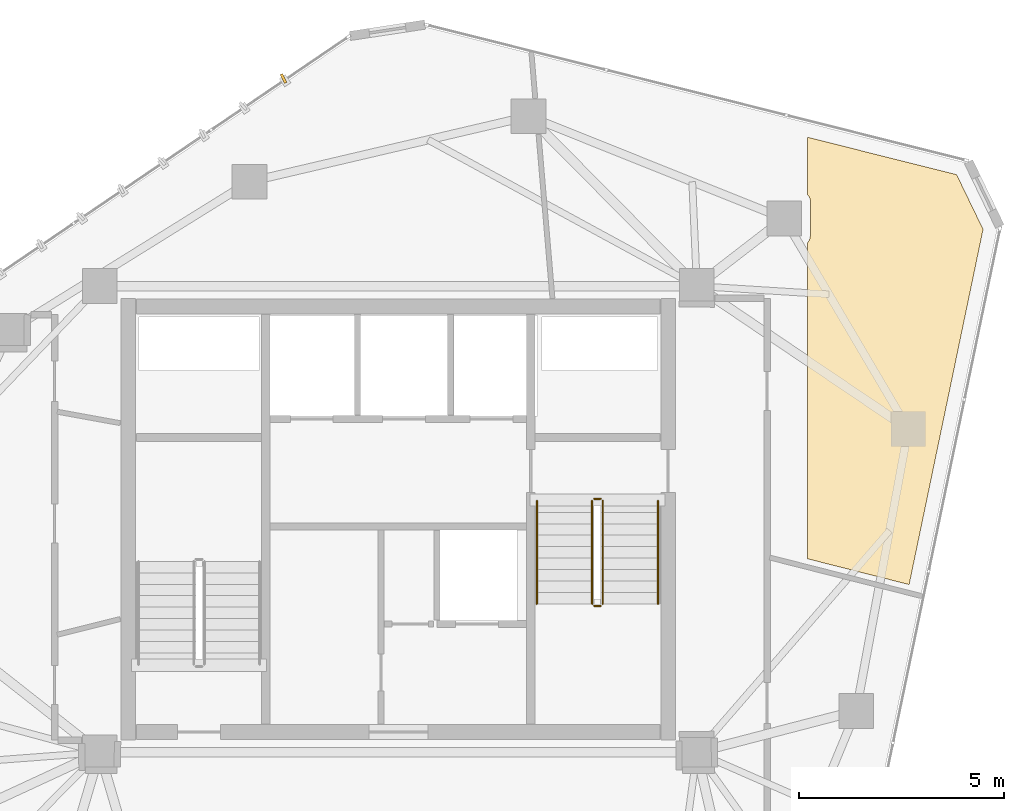
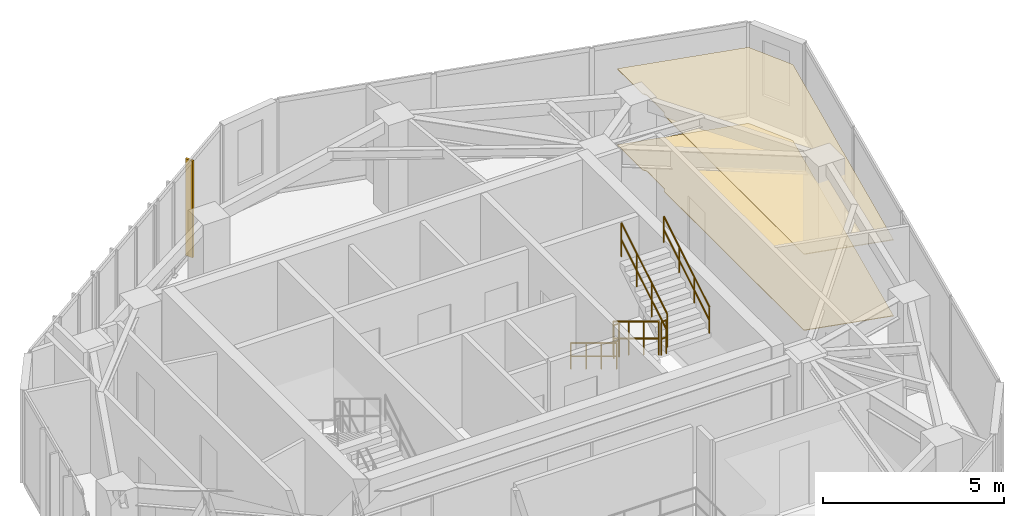
# One storey, part 20 of 20: 6 railings, 2 coverings, 1 shading device.
"""IFC4 building model written with IfcOpenShell, lengths in metres."""

import ifcopenshell
import ifcopenshell.guid

model = None  # the IFC model being written
_history = None  # IfcOwnerHistory: only IFC2X3 demands one
_inside = {}  # id of a spatial element -> (the spatial element, [elements in it])
_under = {}  # id of a project, library or spatial element -> (it, [spatial elements below it])
_declared = {}  # id of a project -> (the project, [libraries it declares])
_typed = {}  # id of a type object -> (the type object, [elements of that type])
_made_of = {}  # id of a material, layer set ... -> (it, [elements and type objects made of it])


def new_model(schema):
    """Start an empty IFC model of exactly this schema.

    Asked for "IFC4X3", IfcOpenShell would pick the latest addendum, in which some entities
    have other attributes; the version numbers below select the first issue.
    IFC2X3 requires an IfcOwnerHistory on every rooted entity: one is made here for all.
    """
    global model, _history
    if schema == "IFC4X3":
        model = ifcopenshell.file(schema_version=(4, 3, 0, 0))
    else:
        model = ifcopenshell.file(schema=schema)
    _inside.clear()
    _under.clear()
    _declared.clear()
    _typed.clear()
    _made_of.clear()
    _history = None
    if model.schema == "IFC2X3":
        org = make("IfcOrganization", Name="unknown")
        user = make(
            "IfcPersonAndOrganization",
            ThePerson=make("IfcPerson", FamilyName="unknown"),
            TheOrganization=org,
        )
        app = make(
            "IfcApplication",
            ApplicationDeveloper=org,
            Version="unknown",
            ApplicationFullName="unknown",
            ApplicationIdentifier="unknown",
        )
        _history = make(
            "IfcOwnerHistory",
            OwningUser=user,
            OwningApplication=app,
            ChangeAction="ADDED",
            CreationDate=0,
        )
    return model


def make(cls, **values):
    """One entity of the class cls with the attributes given. An attribute that is None is left unset."""
    return model.create_entity(
        cls, **{name: value for name, value in values.items() if value is not None}
    )


def rooted(cls, **values):
    """An entity with a GlobalId (a new one), such as an element, a storey or a relation."""
    return make(cls, GlobalId=ifcopenshell.guid.new(), OwnerHistory=_history, **values)


def si_unit(unit_type, name, prefix=None):
    """IfcSIUnit, for example si_unit("LENGTHUNIT", "METRE", prefix="MILLI")."""
    return make("IfcSIUnit", UnitType=unit_type, Prefix=prefix, Name=name)


def assignment(units):
    """IfcUnitAssignment: the units of a project."""
    return None if units is None else make("IfcUnitAssignment", Units=units)


def point(xyz):
    """IfcCartesianPoint."""
    return None if xyz is None else make("IfcCartesianPoint", Coordinates=xyz)


def direction(xyz):
    """IfcDirection."""
    return None if xyz is None else make("IfcDirection", DirectionRatios=xyz)


def frame(location, z_axis=None, x_axis=None):
    """IfcAxis2Placement3D, a coordinate frame: its origin and axes. An axis left out is left unset."""
    return make(
        "IfcAxis2Placement3D",
        Location=point(location),
        Axis=direction(z_axis),
        RefDirection=direction(x_axis),
    )


def frame_2d(location, x_axis=None):
    """IfcAxis2Placement2D, a coordinate frame in the plane: its origin and x axis."""
    return make(
        "IfcAxis2Placement2D", Location=point(location), RefDirection=direction(x_axis)
    )


def origin():
    """The frame at (0, 0, 0) with its axes left unset."""
    return frame((0.0, 0.0, 0.0))


def origin_2d():
    """The frame at (0, 0) in the plane with its x axis left unset."""
    return frame_2d((0.0, 0.0))


def place(relative_to, where):
    """IfcLocalPlacement: puts the frame where relative to a parent placement (None: the world)."""
    return make(
        "IfcLocalPlacement", PlacementRelTo=relative_to, RelativePlacement=where
    )


def context(
    kind, dimensions, precision=None, world=None, true_north=None, identifier=None
):
    """IfcGeometricRepresentationContext, for example the 3D "Model" context."""
    return make(
        "IfcGeometricRepresentationContext",
        ContextIdentifier=identifier,
        ContextType=kind,
        CoordinateSpaceDimension=dimensions,
        Precision=precision,
        WorldCoordinateSystem=world,
        TrueNorth=true_north,
    )


def subcontext(parent, identifier, kind, view, scale=None):
    """IfcGeometricRepresentationSubContext, for example "Body" below "Model"."""
    return make(
        "IfcGeometricRepresentationSubContext",
        ContextIdentifier=identifier,
        ContextType=kind,
        ParentContext=parent,
        TargetScale=scale,
        TargetView=view,
    )


def project(units=None, contexts=None):
    """IfcProject with its units and contexts."""
    return rooted(
        "IfcProject",
        Name="project",
        RepresentationContexts=contexts,
        UnitsInContext=assignment(units),
    )


def spatial(cls, under=None, at=None, **own):
    """A site, building, storey or space (cls), placed at a placement, below another one or the project."""
    s = rooted(cls, ObjectPlacement=at, **own)
    if under is not None:
        _under.setdefault(under.id(), (under, []))[1].append(s)
    return s


def polyline(points):
    """IfcPolyline through the points."""
    return make("IfcPolyline", Points=[point(p) for p in points])


def profile(cls, at=None, kind="AREA", **sizes):
    """A parametric profile (cls). Its sizes go by their IFC names, for example OverallWidth=200.0."""
    return make(cls, ProfileType=kind, Position=at, **sizes)


def rectangle(**sizes):
    """IfcRectangleProfileDef."""
    return profile("IfcRectangleProfileDef", **sizes)


def circle(**sizes):
    """IfcCircleProfileDef."""
    return profile("IfcCircleProfileDef", **sizes)


def outline(outer, holes=None, kind="AREA"):
    """IfcArbitraryClosedProfileDef: a profile drawn as a closed curve; with holes, ...WithVoids."""
    if holes is None:
        return make("IfcArbitraryClosedProfileDef", ProfileType=kind, OuterCurve=outer)
    return make(
        "IfcArbitraryProfileDefWithVoids",
        ProfileType=kind,
        OuterCurve=outer,
        InnerCurves=holes,
    )


def extrude(swept, where, along, depth):
    """IfcExtrudedAreaSolid: the profile swept, set in the frame where, extruded along a direction by depth."""
    return make(
        "IfcExtrudedAreaSolid",
        SweptArea=swept,
        Position=where,
        ExtrudedDirection=direction(along),
        Depth=depth,
    )


def shape(context_of_items, identifier, shape_type, items):
    """IfcShapeRepresentation: the items that make up one representation, for example the "Body"."""
    return make(
        "IfcShapeRepresentation",
        ContextOfItems=context_of_items,
        RepresentationIdentifier=identifier,
        RepresentationType=shape_type,
        Items=items,
    )


def source(mapping_origin, context_of_items, identifier, shape_type, items):
    """IfcRepresentationMap: a shape defined once, which mapped items show again and again."""
    return make(
        "IfcRepresentationMap",
        MappingOrigin=mapping_origin,
        MappedRepresentation=shape(context_of_items, identifier, shape_type, items),
    )


def transform(
    local_origin,
    x_axis=None,
    y_axis=None,
    z_axis=None,
    scale=None,
    scale2=None,
    scale3=None,
    uniform=True,
):
    """IfcCartesianTransformationOperator3D, or its non-uniform kind. x_axis, y_axis, z_axis: its Axis1, 2, 3."""
    if uniform:
        return make(
            "IfcCartesianTransformationOperator3D",
            Axis1=direction(x_axis),
            Axis2=direction(y_axis),
            LocalOrigin=point(local_origin),
            Scale=scale,
            Axis3=direction(z_axis),
        )
    return make(
        "IfcCartesianTransformationOperator3DnonUniform",
        Axis1=direction(x_axis),
        Axis2=direction(y_axis),
        LocalOrigin=point(local_origin),
        Scale=scale,
        Axis3=direction(z_axis),
        Scale2=scale2,
        Scale3=scale3,
    )


def mapped(mapping_source, mapping_target):
    """IfcMappedItem: shows the shape of a source again, moved by a transform."""
    return make(
        "IfcMappedItem", MappingSource=mapping_source, MappingTarget=mapping_target
    )


def material(Name=None, Category=None):
    """IfcMaterial."""
    return make("IfcMaterial", Name=Name, Category=Category)


def layer(
    of_material, thickness, ventilated=None, Name=None, Category=None, Priority=None
):
    """IfcMaterialLayer: one layer of a wall or slab, of a material (None: an air gap)."""
    return make(
        "IfcMaterialLayer",
        Material=of_material,
        LayerThickness=thickness,
        IsVentilated=ventilated,
        Name=Name,
        Category=Category,
        Priority=Priority,
    )


def layer_set(layers, Name=None):
    """IfcMaterialLayerSet."""
    return make("IfcMaterialLayerSet", MaterialLayers=layers, LayerSetName=Name)


def made_of(thing, what):
    """Note that an element or type object is made of a material, layer set ...; save() writes the relation."""
    if what is not None:
        _made_of.setdefault(what.id(), (what, []))[1].append(thing)
    return thing


def type_object(cls, material=None, **own):
    """A type object (cls), such as IfcWallType, which elements share."""
    return made_of(rooted(cls, **own), material)


def type_shapes(of_type, sources):
    """Give a type object the sources (RepresentationMaps) that its elements show as mapped items."""
    of_type.RepresentationMaps = sources


def element(
    cls,
    number,
    at=None,
    inside=None,
    cuts=None,
    type_object=None,
    material=None,
    context=None,
    identifier="Body",
    shape_type=None,
    held_by="IfcProductDefinitionShape",
    body=None,
    shapes=None,
    **own,
):
    """One element of the class cls, such as IfcWall. Its Tag is "e" and its number.

    at: its placement. inside: the storey or other place that contains it. cuts: it is an
    opening in that element (IfcRelVoidsElement). A single representation is given by context,
    identifier, shape_type and body (its items); several are given by shapes. held_by: the class
    of the entity that holds the representations. save() writes the other relations.
    """
    e = rooted(cls, Tag="e%d" % number, ObjectPlacement=at, **own)
    if body is not None:
        shapes = [shape(context, identifier, shape_type, body)]
    if shapes is not None:
        e.Representation = make(held_by, Representations=shapes)
    if inside is not None:
        _inside.setdefault(inside.id(), (inside, []))[1].append(e)
    if cuts is not None:
        rooted(
            "IfcRelVoidsElement", RelatingBuildingElement=cuts, RelatedOpeningElement=e
        )
    if type_object is not None:
        _typed.setdefault(type_object.id(), (type_object, []))[1].append(e)
    return made_of(e, material)


def aggregate(whole, parts):
    """IfcRelAggregates: a whole, such as a stair, and the parts it consists of."""
    return rooted("IfcRelAggregates", RelatingObject=whole, RelatedObjects=parts)


def save(model, path):
    """Write the relations noted so far, then the file.

    IfcRelAggregates (storeys below a building ...), IfcRelContainedInSpatialStructure (elements
    in a storey), IfcRelDefinesByType, IfcRelAssociatesMaterial and IfcRelDeclares: one each for
    every whole, place, type object, material and project.
    """
    for whole, parts in _under.values():
        aggregate(whole, parts)
    for where, things in _inside.values():
        rooted(
            "IfcRelContainedInSpatialStructure",
            RelatedElements=things,
            RelatingStructure=where,
        )
    for kind, things in _typed.values():
        rooted("IfcRelDefinesByType", RelatedObjects=things, RelatingType=kind)
    for what, things in _made_of.values():
        rooted("IfcRelAssociatesMaterial", RelatedObjects=things, RelatingMaterial=what)
    for by, libraries in _declared.values():
        rooted("IfcRelDeclares", RelatingContext=by, RelatedDefinitions=libraries)
    model.write(path)


model = new_model("IFC4")

# Units and contexts
model_context = context("Model", 3, precision=1e-05, world=origin(), true_north=direction((0.0, 1.0)))
body_context = subcontext(model_context, "Body", "Model", "MODEL_VIEW")
ifc_project = project(units=[si_unit("LENGTHUNIT", "METRE"), si_unit("AREAUNIT", "SQUARE_METRE"), si_unit("VOLUMEUNIT", "CUBIC_METRE"), si_unit("PLANEANGLEUNIT", "RADIAN"), si_unit("MASSUNIT", "GRAM", prefix="KILO")], contexts=[model_context])

# Site, building, storey
site_placement = place(None, origin())
site = spatial("IfcSite", under=ifc_project, at=site_placement, CompositionType="ELEMENT")
building_placement = place(site_placement, origin())
building = spatial("IfcBuilding", under=site, at=building_placement, Name="Talar Marvaseh", CompositionType="ELEMENT")
storey_placement = place(building_placement, frame((0.0, 0.0, 244.199951171875)))
storey = spatial("IfcBuildingStorey", under=building, at=storey_placement, Name="L64", CompositionType="ELEMENT", Elevation=244.199951171875)

# Railings
ifc_material_1 = material(Name="Stainless Steel Grade 316", Category="steel")
railing_type_1 = type_object("IfcRailingType", Name="Brushed Stainless Wall Pitch Handrail 900", PredefinedType="HANDRAIL", material=ifc_material_1)
railing_1_placement = place(storey_placement, frame((29.389892578125, 31.64990234375, 0.170166015625)))
element("IfcRailing", 1, at=railing_1_placement, inside=storey, type_object=railing_type_1, Name="L64 ST-2 stair handrail 1", PredefinedType="HANDRAIL", context=body_context, shape_type="SweptSolid", body=[
    extrude(circle(Radius=0.02392578125, at=origin_2d()), frame((0.0, 0.0, 0.8759765625), z_axis=(0.0, -0.854821627497, 0.518921945155), x_axis=(1.0, 0.0, 0.0)), (0.0, 0.0, 1.0), 2.947998046875),
    extrude(circle(Radius=0.02392578125, at=origin_2d()), frame((0.0, 0.0, 0.42578125), z_axis=(0.0, -0.854821627497, 0.518921945155), x_axis=(1.0, 0.0, 0.0)), (0.0, 0.0, 1.0), 2.947998046875),
    extrude(circle(Radius=0.02099609375, at=origin_2d()), origin(), (0.0, 0.0, 1.0), 0.851806640625),
    extrude(circle(Radius=0.02099609375, at=origin_2d()), frame((0.0, -0.840087890625, 0.510009765625)), (0.0, 0.0, 1.0), 0.851806640625),
    extrude(circle(Radius=0.02099609375, at=origin_2d()), frame((0.0, -1.679931640625, 1.019775390625)), (0.0, 0.0, 1.0), 0.851806640625),
    extrude(circle(Radius=0.02099609375, at=origin_2d()), frame((0.0, -2.52001953125, 1.52978515625)), (0.0, 0.0, 1.0), 0.851806640625),
])
railing_2_placement = place(storey_placement, frame((32.35009765625, 29.1298828125, 1.8701171875)))
element("IfcRailing", 2, at=railing_2_placement, inside=storey, type_object=railing_type_1, Name="L64 ST-2 stair handrail 2", PredefinedType="HANDRAIL", context=body_context, shape_type="SweptSolid", body=[
    extrude(circle(Radius=0.02392578125, at=origin_2d()), frame((0.0, 0.0, 0.8759765625), z_axis=(0.0, 0.85478489116, 0.518982456201), x_axis=(-1.0, 0.0, 0.0)), (0.0, 0.0, 1.0), 2.9482421875),
    extrude(circle(Radius=0.02392578125, at=origin_2d()), frame((0.0, 0.0, 0.42578125), z_axis=(0.0, 0.85478489116, 0.518982456201), x_axis=(-1.0, 0.0, 0.0)), (0.0, 0.0, 1.0), 2.9482421875),
    extrude(circle(Radius=0.02099609375, at=origin_2d()), origin(), (0.0, 0.0, 1.0), 0.851806640625),
    extrude(circle(Radius=0.02099609375, at=origin_2d()), frame((0.0, 0.840087890625, 0.510009765625)), (0.0, 0.0, 1.0), 0.851806640625),
    extrude(circle(Radius=0.02099609375, at=origin_2d()), frame((0.0, 1.679931640625, 1.02001953125)), (0.0, 0.0, 1.0), 0.851806640625),
    extrude(circle(Radius=0.02099609375, at=origin_2d()), frame((0.0, 2.52001953125, 1.530029296875)), (0.0, 0.0, 1.0), 0.851806640625),
])
railing_type_2 = type_object("IfcRailingType", Name="Painted Steel Core Stair Well Guardrail 1150", PredefinedType="GUARDRAIL", material=ifc_material_1)
railing_3_placement = place(storey_placement, frame((30.739990234375, 31.64990234375, 0.170166015625)))
element("IfcRailing", 3, at=railing_3_placement, inside=storey, type_object=railing_type_2, Name="L64 ST-2 stair guard 1", PredefinedType="GUARDRAIL", context=body_context, shape_type="SweptSolid", body=[
    extrude(circle(Radius=0.02392578125, at=origin_2d()), frame((0.0, 0.0, 1.1259765625), z_axis=(0.0, -0.854821627497, 0.518921945155), x_axis=(1.0, 0.0, 0.0)), (0.0, 0.0, 1.0), 2.947998046875),
    extrude(circle(Radius=0.02392578125, at=origin_2d()), frame((0.0, 0.0, 0.55078125), z_axis=(0.0, -0.854821627497, 0.518921945155), x_axis=(1.0, 0.0, 0.0)), (0.0, 0.0, 1.0), 2.947998046875),
    extrude(circle(Radius=0.02099609375, at=origin_2d()), origin(), (0.0, 0.0, 1.0), 1.101806640625),
    extrude(circle(Radius=0.02099609375, at=origin_2d()), frame((0.0, -0.840087890625, 0.510009765625)), (0.0, 0.0, 1.0), 1.101806640625),
    extrude(circle(Radius=0.02099609375, at=origin_2d()), frame((0.0, -1.679931640625, 1.019775390625)), (0.0, 0.0, 1.0), 1.101806640625),
    extrude(circle(Radius=0.02099609375, at=origin_2d()), frame((0.0, -2.52001953125, 1.52978515625)), (0.0, 0.0, 1.0), 1.101806640625),
])
railing_4_placement = place(storey_placement, frame((30.7900390625, 29.080078125, 1.699951171875)))
element("IfcRailing", 4, at=railing_4_placement, inside=storey, type_object=railing_type_2, Name="L64 ST-2 stair guard 2", PredefinedType="GUARDRAIL", context=body_context, shape_type="SweptSolid", body=[
    extrude(circle(Radius=0.02392578125, at=origin_2d()), frame((0.0, 0.0, 1.1259765625), z_axis=(1.0, 0.0, 0.0), x_axis=(0.0, 1.0, 0.0)), (0.0, 0.0, 1.0), 0.159912109375),
    extrude(circle(Radius=0.02392578125, at=origin_2d()), frame((0.0, 0.0, 0.55078125), z_axis=(1.0, 0.0, 0.0), x_axis=(0.0, 1.0, 0.0)), (0.0, 0.0, 1.0), 0.159912109375),
    extrude(circle(Radius=0.02099609375, at=origin_2d()), origin(), (0.0, 0.0, 1.0), 1.101806640625),
    extrude(circle(Radius=0.02099609375, at=origin_2d()), frame((0.159912109375, 0.0, 0.0)), (0.0, 0.0, 1.0), 1.101806640625),
])
railing_5_placement = place(storey_placement, frame((31.0, 29.1298828125, 1.8701171875)))
element("IfcRailing", 5, at=railing_5_placement, inside=storey, type_object=railing_type_2, Name="L64 ST-2 stair guard 3", PredefinedType="GUARDRAIL", context=body_context, shape_type="SweptSolid", body=[
    extrude(circle(Radius=0.02392578125, at=origin_2d()), frame((0.0, 0.0, 1.1259765625), z_axis=(0.0, 0.85478489116, 0.518982456201), x_axis=(-1.0, 0.0, 0.0)), (0.0, 0.0, 1.0), 2.9482421875),
    extrude(circle(Radius=0.02392578125, at=origin_2d()), frame((0.0, 0.0, 0.55078125), z_axis=(0.0, 0.85478489116, 0.518982456201), x_axis=(-1.0, 0.0, 0.0)), (0.0, 0.0, 1.0), 2.9482421875),
    extrude(circle(Radius=0.02099609375, at=origin_2d()), origin(), (0.0, 0.0, 1.0), 1.101806640625),
    extrude(circle(Radius=0.02099609375, at=origin_2d()), frame((0.0, 0.840087890625, 0.510009765625)), (0.0, 0.0, 1.0), 1.101806640625),
    extrude(circle(Radius=0.02099609375, at=origin_2d()), frame((0.0, 1.679931640625, 1.02001953125)), (0.0, 0.0, 1.0), 1.101806640625),
    extrude(circle(Radius=0.02099609375, at=origin_2d()), frame((0.0, 2.52001953125, 1.530029296875)), (0.0, 0.0, 1.0), 1.101806640625),
])
railing_6_placement = place(storey_placement, frame((30.7900390625, 31.699951171875, 0.0)))
element("IfcRailing", 6, at=railing_6_placement, inside=storey, type_object=railing_type_2, Name="L64 ST-2 stair guard 4", PredefinedType="GUARDRAIL", context=body_context, shape_type="SweptSolid", body=[
    extrude(circle(Radius=0.02392578125, at=origin_2d()), frame((0.0, 0.0, 1.1259765625), z_axis=(1.0, 0.0, 0.0), x_axis=(0.0, 1.0, 0.0)), (0.0, 0.0, 1.0), 0.159912109375),
    extrude(circle(Radius=0.02392578125, at=origin_2d()), frame((0.0, 0.0, 0.55078125), z_axis=(1.0, 0.0, 0.0), x_axis=(0.0, 1.0, 0.0)), (0.0, 0.0, 1.0), 0.159912109375),
    extrude(circle(Radius=0.02099609375, at=origin_2d()), origin(), (0.0, 0.0, 1.0), 1.101806640625),
    extrude(circle(Radius=0.02099609375, at=origin_2d()), frame((0.159912109375, 0.0, 0.0)), (0.0, 0.0, 1.0), 1.101806640625),
])

# Coverings
ifc_material_2 = material(Name="Mineral Fibre Acoustic Ceiling")
ifc_layer_1 = layer(ifc_material_2, 0.02490234375)
ifc_layer_set_1 = layer_set([ifc_layer_1], Name="Mineral Fibre Acoustic Ceiling")
covering_type_1 = type_object("IfcCoveringType", Name="Perforated Mineral Fibre Acoustic Suspended Ceiling", PredefinedType="CEILING", material=ifc_layer_set_1)
covering_1_placement = place(storey_placement, frame((0.0, 0.0, 2.56005859375)))
element("IfcCovering", 7, at=covering_1_placement, inside=storey, type_object=covering_type_1, Name="L64 Scholars' Servery Pantry Acoustic Ceiling", PredefinedType="CEILING", context=body_context, shape_type="SweptSolid", body=[
    extrude(outline(polyline([(40.29833984375, 38.28857421875), (38.49072265625, 29.603759765625), (36.0, 30.2353515625), (36.0, 37.96044921875), (36.0, 37.96044921875), (36.0146484375, 37.9736328125), (36.02783203125, 37.988037109375), (36.03955078125, 38.00390625), (36.0498046875, 38.0205078125), (36.05810546875, 38.0380859375), (36.064697265625, 38.056640625), (36.069580078125, 38.075439453125), (36.072509765625, 38.094970703125), (36.073486328125, 38.114501953125), (36.077880859375, 38.9765625), (36.0771484375, 38.9951171875), (36.07470703125, 39.013671875), (36.0703125, 39.03173828125), (36.064453125, 39.049560546875), (36.056884765625, 39.066650390625), (36.0478515625, 39.0830078125), (36.037353515625, 39.09814453125), (36.025390625, 39.112548828125), (36.01220703125, 39.125732421875), (36.0, 39.13671875), (36.0, 40.541015625), (39.65234375, 39.623779296875), (40.29833984375, 38.28857421875)])), origin(), (0.0, 0.0, 1.0), 0.02490234375),
])
ifc_material_3 = material(Name="Porcelain Stoneware Tile", Category="masonry")
ifc_layer_2 = layer(ifc_material_3, 0.02001953125)
ifc_layer_set_2 = layer_set([ifc_layer_2], Name="Porcelain Stoneware Tile")
covering_type_2 = type_object("IfcCoveringType", Name="Polished Porcelain Stoneware Gallery Flooring", PredefinedType="FLOORING", material=ifc_layer_set_2)
covering_2_placement = place(storey_placement, origin())
element("IfcCovering", 8, at=covering_2_placement, inside=storey, type_object=covering_type_2, Name="L64 Scholars' Servery Pantry Flooring", PredefinedType="FLOORING", context=body_context, shape_type="SweptSolid", body=[
    extrude(outline(polyline([(40.29833984375, 38.28857421875), (38.49072265625, 29.603759765625), (36.0, 30.2353515625), (36.0, 37.96044921875), (36.0, 37.96044921875), (36.0146484375, 37.9736328125), (36.02783203125, 37.988037109375), (36.03955078125, 38.00390625), (36.0498046875, 38.0205078125), (36.05810546875, 38.0380859375), (36.064697265625, 38.056640625), (36.069580078125, 38.075439453125), (36.072509765625, 38.094970703125), (36.073486328125, 38.114501953125), (36.077880859375, 38.9765625), (36.0771484375, 38.9951171875), (36.07470703125, 39.013671875), (36.0703125, 39.03173828125), (36.064453125, 39.049560546875), (36.056884765625, 39.066650390625), (36.0478515625, 39.0830078125), (36.037353515625, 39.09814453125), (36.025390625, 39.112548828125), (36.01220703125, 39.125732421875), (36.0, 39.13671875), (36.0, 40.541015625), (39.65234375, 39.623779296875), (40.29833984375, 38.28857421875)])), origin(), (0.0, 0.0, 1.0), 0.02001953125),
])

# Shading device
ifc_material_4 = material(Name="Anodised Champagne Bronze Aluminium", Category="aluminium")
ifc_layer_3 = layer(ifc_material_4, 0.06494140625)
ifc_layer_set_3 = layer_set([ifc_layer_3], Name="Anodised Champagne Bronze Aluminium")
shading_device_type = type_object("IfcShadingDeviceType", Name="Sawtooth Champagne Bronze Vertical Fin 240", PredefinedType="USERDEFINED", material=ifc_layer_set_3)
shared_shape = source(origin(), body_context, "Body", "SweptSolid", [
    extrude(rectangle(XDim=0.239990234375, YDim=0.06494140625, at=origin_2d()), origin(), (0.0, 0.0, 1.0), 3.260009765625),
])
type_shapes(shading_device_type, [shared_shape])
shading_device_placement = place(storey_placement, frame((23.1962890625, 41.97509765625, -0.1201171875), z_axis=(0.0, 0.0, 1.0), x_axis=(-0.441192623644, 0.897412429623, 0.0)))
element("IfcShadingDevice", 9, at=shading_device_placement, inside=storey, type_object=shading_device_type, Name="L64 Sawtooth Vertical Solar Fin", ObjectType="FIN", PredefinedType="USERDEFINED", context=body_context, shape_type="MappedRepresentation", body=[
    mapped(shared_shape, transform((0.0, 0.0, 0.0), x_axis=(1.0, 0.0, 0.0), y_axis=(0.0, 1.0, 0.0), z_axis=(0.0, 0.0, 1.0), scale=1.0)),
])

save(model, "model.ifc")
